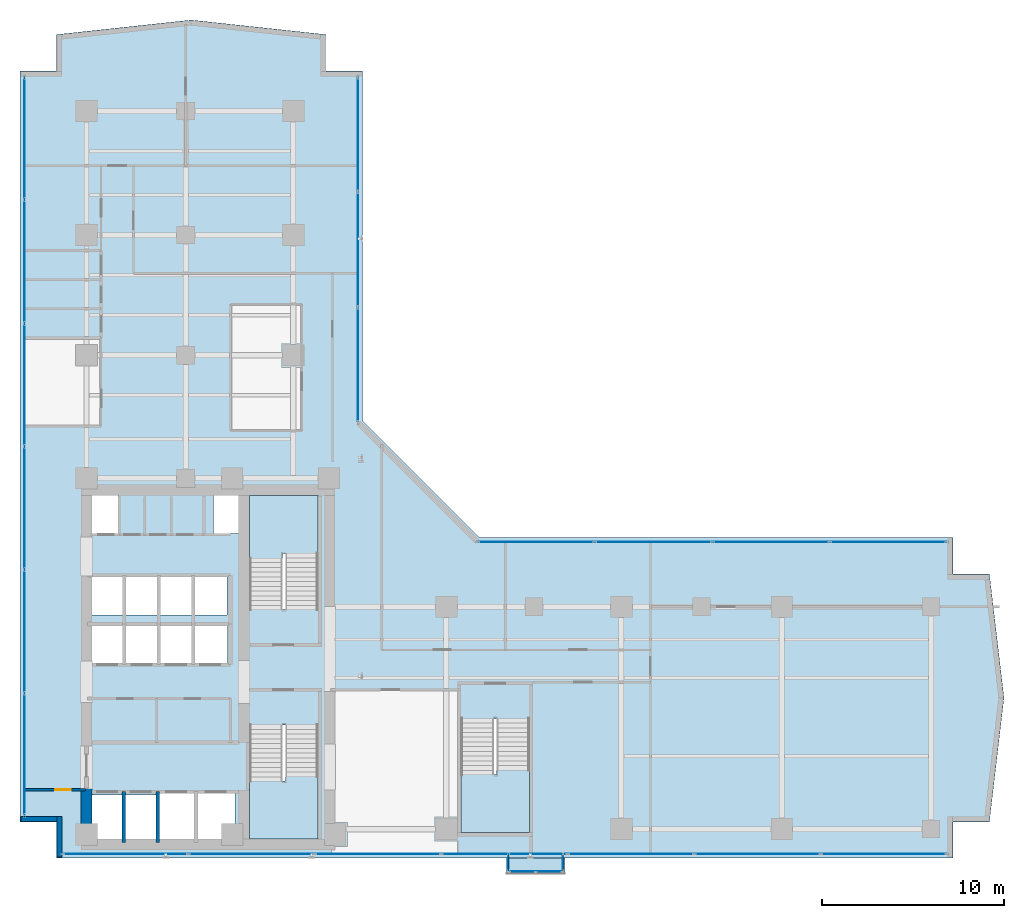
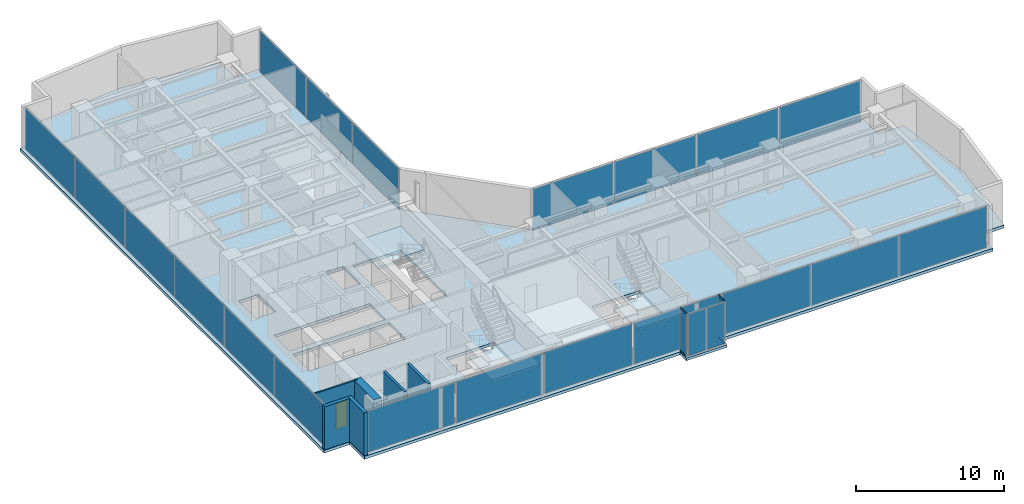
# One storey, part 18 of 24: 24 plates, 6 walls, 5 slabs, 4 members, 1 door, 1 opening, 10 elements without a shape of their own.
"""IFC4 building model written with IfcOpenShell, lengths in metres."""

from ifc_helpers import new_model, si_unit, direction, frame, frame_2d, origin, origin_with_axes, origin_2d, place, context, subcontext, project, spatial, polyline, rectangle, hollow_rectangle, outline, extrude, source, transform, mapped, material, layer, layer_set, material_profile, profile_set, type_object, element, fill, aggregate, save


model = new_model("IFC4")

# Units and contexts
model_context = context("Model", 3, precision=1e-05, world=origin(), true_north=direction((0.0, 1.0)))
body_context = subcontext(model_context, "Body", "Model", "MODEL_VIEW")
ifc_project = project(units=[si_unit("LENGTHUNIT", "METRE"), si_unit("AREAUNIT", "SQUARE_METRE"), si_unit("VOLUMEUNIT", "CUBIC_METRE"), si_unit("PLANEANGLEUNIT", "RADIAN"), si_unit("MASSUNIT", "GRAM", prefix="KILO")], contexts=[model_context])

# Site, building, storey
site_placement = place(None, origin())
site = spatial("IfcSite", under=ifc_project, at=site_placement, CompositionType="ELEMENT")
building_placement = place(site_placement, origin())
building = spatial("IfcBuilding", under=site, at=building_placement, Name="Kolvaren Waterfront Exchange", CompositionType="ELEMENT")
storey_placement = place(building_placement, frame((0.0, 0.0, 172.800048828125)))
storey = spatial("IfcBuildingStorey", under=building, at=storey_placement, Name="L44", CompositionType="ELEMENT", Elevation=172.800048828125)

# Curtain wall, members
ifc_material_1 = material(Name="Anodised bronze aluminium 6063-T6", Category="aluminium")
ifc_layer_1 = layer(ifc_material_1, 0.219970703125, Name="Anodised bronze aluminium 6063-T6")
ifc_layer_set_1 = layer_set([ifc_layer_1], Name="Anodised bronze aluminium 6063-T6")
curtain_wall_type_1 = type_object("IfcCurtainWallType", Name="ARC-CW-SYS3", PredefinedType="USERDEFINED", material=ifc_layer_set_1)
curtain_wall_1_placement = place(storey_placement, origin())
curtain_wall_1 = element("IfcCurtainWall", 1, at=curtain_wall_1_placement, inside=storey, type_object=curtain_wall_type_1, Name="L44 stick curtain wall CW3 (CW-L44-BOX-W)", ObjectType="STICK CURTAIN WALL", PredefinedType="USERDEFINED")
ifc_material_profile = material_profile(ifc_material_1, hollow_rectangle(XDim=0.06494140625, YDim=0.1298828125, WallThickness=0.00390625, at=origin_2d()), Name="ALU-TRN-130x65x4")
ifc_profile_set = profile_set([ifc_material_profile], Name="Anodised bronze aluminium 6063-T6")
member_type = type_object("IfcMemberType", Name="ARC-CWT-130", PredefinedType="USERDEFINED", material=ifc_profile_set)
shared_shape_1 = source(origin_with_axes(), body_context, "Body", "SweptSolid", [
    extrude(hollow_rectangle(XDim=0.06494140625, YDim=0.1298828125, WallThickness=0.00390625, at=origin_2d()), origin(), (0.0, 0.0, 1.0), 0.829833984375),
])
member_1_placement = place(storey_placement, frame((30.610107421875, 3.764892578125, 0.032470703125), z_axis=(0.0, -1.0, 0.0), x_axis=(1.0, 0.0, 0.0)))
member_1 = element("IfcMember", 2, at=member_1_placement, type_object=member_type, Name="CW3 transom 1.1", ObjectType="TRANSOM", PredefinedType="USERDEFINED", context=body_context, shape_type="MappedRepresentation", body=[
    mapped(shared_shape_1, transform((0.0, 0.0, 0.0), x_axis=(1.0, 0.0, 0.0), y_axis=(0.0, 1.0, 0.0), z_axis=(0.0, 0.0, 1.0), scale=1.0)),
])
member_2_placement = place(storey_placement, frame((30.610107421875, 3.764892578125, 3.52734375), z_axis=(0.0, -1.0, 0.0), x_axis=(1.0, 0.0, 0.0)))
member_2 = element("IfcMember", 3, at=member_2_placement, type_object=member_type, Name="CW3 transom 1.2", ObjectType="TRANSOM", PredefinedType="USERDEFINED", context=body_context, shape_type="MappedRepresentation", body=[
    mapped(shared_shape_1, transform((0.0, 0.0, 0.0), x_axis=(1.0, 0.0, 0.0), y_axis=(0.0, 1.0, 0.0), z_axis=(0.0, 0.0, 1.0), scale=1.0)),
])

curtain_wall_2_placement = place(storey_placement, origin())
curtain_wall_2 = element("IfcCurtainWall", 4, at=curtain_wall_2_placement, inside=storey, type_object=curtain_wall_type_1, Name="L44 stick curtain wall CW3 (CW-L44-BOX-E)", ObjectType="STICK CURTAIN WALL", PredefinedType="USERDEFINED")
member_3_placement = place(storey_placement, frame((33.590087890625, 2.93505859375, 0.032470703125), z_axis=(0.0, 1.0, 0.0), x_axis=(-1.0, 0.0, 0.0)))
member_3 = element("IfcMember", 5, at=member_3_placement, type_object=member_type, Name="CW3 transom 1.1", ObjectType="TRANSOM", PredefinedType="USERDEFINED", context=body_context, shape_type="MappedRepresentation", body=[
    mapped(shared_shape_1, transform((0.0, 0.0, 0.0), x_axis=(1.0, 0.0, 0.0), y_axis=(0.0, 1.0, 0.0), z_axis=(0.0, 0.0, 1.0), scale=1.0)),
])
member_4_placement = place(storey_placement, frame((33.590087890625, 2.93505859375, 3.52734375), z_axis=(0.0, 1.0, 0.0), x_axis=(-1.0, 0.0, 0.0)))
member_4 = element("IfcMember", 6, at=member_4_placement, type_object=member_type, Name="CW3 transom 1.2", ObjectType="TRANSOM", PredefinedType="USERDEFINED", context=body_context, shape_type="MappedRepresentation", body=[
    mapped(shared_shape_1, transform((0.0, 0.0, 0.0), x_axis=(1.0, 0.0, 0.0), y_axis=(0.0, 1.0, 0.0), z_axis=(0.0, 0.0, 1.0), scale=1.0)),
])

# Stair, slab
ifc_material_2 = material(Name="Concrete C40/50", Category="concrete")
stair_type = type_object("IfcStairType", Name="ARC-STAIR-3800", PredefinedType="HALF_TURN_STAIR", material=ifc_material_2)
stair_1_placement = place(storey_placement, origin())
stair_1 = element("IfcStair", 7, at=stair_1_placement, inside=storey, type_object=stair_type, Name="L44 Smoke-proof exit stair ST1", PredefinedType="HALF_TURN_STAIR")
ifc_layer_2 = layer(ifc_material_2, 0.199951171875, Name="Concrete C40/50")
ifc_layer_set_2 = layer_set([ifc_layer_2], Name="Concrete C40/50")
slab_type_1 = type_object("IfcSlabType", Name="STR-LANDING-200", PredefinedType="LANDING", material=ifc_layer_set_2)
slab_1_placement = place(storey_placement, frame((0.0, 0.0, 1.77587890625)))
slab_1 = element("IfcSlab", 8, at=slab_1_placement, type_object=slab_type_1, Name="ST1 landing 1", PredefinedType="LANDING", context=body_context, shape_type="SweptSolid", body=[
    extrude(outline(polyline([(16.39990234375, 7.840087890625), (16.39990234375, 4.64990234375), (20.159912109375, 4.64990234375), (20.159912109375, 8.10009765625), (18.360107421875, 8.10009765625), (18.360107421875, 7.840087890625), (16.39990234375, 7.840087890625)])), origin(), (0.0, 0.0, 1.0), 0.199951171875),
])
aggregate(stair_1, [slab_1])

stair_2_placement = place(storey_placement, origin())
stair_2 = element("IfcStair", 9, at=stair_2_placement, inside=storey, type_object=stair_type, Name="L44 Smoke-proof exit stair ST2", PredefinedType="HALF_TURN_STAIR")
slab_2_placement = place(storey_placement, frame((0.0, 0.0, 1.77587890625)))
slab_2 = element("IfcSlab", 10, at=slab_2_placement, type_object=slab_type_1, Name="ST2 landing 1", PredefinedType="LANDING", context=body_context, shape_type="SweptSolid", body=[
    extrude(outline(polyline([(20.159912109375, 20.31005859375), (20.159912109375, 23.5), (16.39990234375, 23.5), (16.39990234375, 20.050048828125), (18.199951171875, 20.050048828125), (18.199951171875, 20.31005859375), (20.159912109375, 20.31005859375)])), origin(), (0.0, 0.0, 1.0), 0.199951171875),
])
aggregate(stair_2, [slab_2])

stair_3_placement = place(storey_placement, origin())
stair_3 = element("IfcStair", 11, at=stair_3_placement, inside=storey, type_object=stair_type, Name="L44 Exit stair ST3", PredefinedType="HALF_TURN_STAIR")
slab_3_placement = place(storey_placement, frame((0.0, 0.0, 1.77587890625)))
slab_3 = element("IfcSlab", 12, at=slab_3_placement, type_object=slab_type_1, Name="ST3 landing 1", PredefinedType="LANDING", context=body_context, shape_type="SweptSolid", body=[
    extrude(outline(polyline([(28.0, 8.18994140625), (28.0, 5.0), (31.760009765625, 5.0), (31.760009765625, 8.449951171875), (29.9599609375, 8.449951171875), (29.9599609375, 8.18994140625), (28.0, 8.18994140625)])), origin(), (0.0, 0.0, 1.0), 0.199951171875),
])
aggregate(stair_3, [slab_3])

# Slabs
ifc_layer_3 = layer(ifc_material_2, 0.239990234375, Name="Concrete C40/50")
ifc_layer_set_3 = layer_set([ifc_layer_3], Name="Concrete C40/50")
slab_type_2 = type_object("IfcSlabType", Name="STR-SLAB-240", PredefinedType="FLOOR", material=ifc_layer_set_3)
slab_4_placement = place(storey_placement, frame((0.0, 0.0, -0.239990234375)))
element("IfcSlab", 13, at=slab_4_placement, inside=storey, type_object=slab_type_2, Name="L44 structural floor slab", PredefinedType="FLOOR", context=body_context, shape_type="SweptSolid", body=[
    extrude(outline(polyline([(5.800048828125, 3.60009765625), (55.0, 3.60009765625), (55.0, 5.60009765625), (57.0, 5.60009765625), (57.800048828125, 12.39990234375), (57.0, 19.199951171875), (55.0, 19.199951171875), (55.0, 21.199951171875), (29.0, 21.199951171875), (22.60009765625, 27.60009765625), (22.60009765625, 46.800048828125), (20.60009765625, 46.800048828125), (20.60009765625, 48.800048828125), (13.199951171875, 49.60009765625), (5.800048828125, 48.800048828125), (5.800048828125, 46.800048828125), (3.800048828125, 46.800048828125), (3.800048828125, 5.60009765625), (5.800048828125, 5.60009765625), (5.800048828125, 3.60009765625)]), holes=[polyline([(11.320068359375, 7.260009765625), (15.610107421875, 7.260009765625), (15.610107421875, 4.5400390625), (7.719970703125, 4.5400390625), (7.719970703125, 7.06005859375), (11.320068359375, 7.06005859375), (11.320068359375, 7.260009765625)]), polyline([(20.159912109375, 10.89990234375), (20.159912109375, 4.64990234375), (16.39990234375, 4.64990234375), (16.39990234375, 10.89990234375), (20.159912109375, 10.89990234375)]), polyline([(31.760009765625, 11.25), (31.760009765625, 5.0), (28.0, 5.0), (28.0, 11.25), (31.760009765625, 11.25)]), polyline([(15.18505859375, 14.239990234375), (7.64501953125, 14.239990234375), (7.64501953125, 16.4599609375), (15.18505859375, 16.4599609375), (15.18505859375, 14.239990234375)]), polyline([(15.159912109375, 16.93994140625), (7.669921875, 16.93994140625), (7.669921875, 19.06005859375), (15.159912109375, 19.06005859375), (15.159912109375, 16.93994140625)]), polyline([(16.39990234375, 23.5), (20.159912109375, 23.5), (20.159912109375, 17.25), (16.39990234375, 17.25), (16.39990234375, 23.5)]), polyline([(7.60009765625, 23.780029296875), (9.179931640625, 23.780029296875), (9.179931640625, 21.419921875), (7.60009765625, 21.419921875), (7.60009765625, 23.780029296875)]), polyline([(15.800048828125, 23.780029296875), (15.800048828125, 21.419921875), (14.419921875, 21.419921875), (14.419921875, 23.780029296875), (15.800048828125, 23.780029296875)])]), origin(), (0.0, 0.0, 1.0), 0.239990234375),
])
ifc_layer_4 = layer(ifc_material_2, 0.219970703125, Name="Concrete C40/50")
ifc_layer_set_4 = layer_set([ifc_layer_4], Name="Concrete C40/50")
slab_type_3 = type_object("IfcSlabType", Name="STR-TERR-220", PredefinedType="FLOOR", material=ifc_layer_set_4)
slab_5_placement = place(storey_placement, frame((0.0, 0.0, -0.219970703125)))
element("IfcSlab", 14, at=slab_5_placement, inside=storey, type_object=slab_type_3, Name="L44 projecting bay-box floor strip", PredefinedType="FLOOR", context=body_context, shape_type="SweptSolid", body=[
    extrude(outline(polyline([(30.5, 2.75), (33.699951171875, 2.75), (33.699951171875, 3.60009765625), (30.5, 3.60009765625), (30.5, 2.75)])), origin(), (0.0, 0.0, 1.0), 0.219970703125),
])

# Plate
ifc_material_3 = material(Name="Bronze tinted bay-box vision glass", Category="aluminium")
ifc_layer_5 = layer(ifc_material_3, 0.02392578125, Name="Bronze tinted bay-box vision glass")
ifc_layer_set_5 = layer_set([ifc_layer_5], Name="Bronze tinted bay-box vision glass")
plate_type_1 = type_object("IfcPlateType", Name="ARC-CWP-24", PredefinedType="CURTAIN_PANEL", material=ifc_layer_set_5)
shared_shape_2 = source(origin_with_axes(), body_context, "Body", "SweptSolid", [
    extrude(rectangle(XDim=0.830078125, YDim=0.02392578125, at=origin_2d()), origin(), (0.0, 0.0, 1.0), 3.429931640625),
])
plate_1_placement = place(storey_placement, frame((30.610107421875, 3.35009765625, 0.06494140625), z_axis=(0.0, 0.0, 1.0), x_axis=(0.0, -1.0, 0.0)))
plate_1 = element("IfcPlate", 15, at=plate_1_placement, type_object=plate_type_1, Name="CW3 panel 1.1", PredefinedType="CURTAIN_PANEL", context=body_context, shape_type="MappedRepresentation", body=[
    mapped(shared_shape_2, transform((0.0, 0.0, 0.0), x_axis=(1.0, 0.0, 0.0), y_axis=(0.0, 1.0, 0.0), z_axis=(0.0, 0.0, 1.0), scale=1.0)),
])

aggregate(curtain_wall_1, [member_1, member_2, plate_1])

plate_2_placement = place(storey_placement, frame((33.590087890625, 3.35009765625, 0.06494140625), z_axis=(0.0, 0.0, 1.0), x_axis=(0.0, 1.0, 0.0)))
plate_2 = element("IfcPlate", 16, at=plate_2_placement, type_object=plate_type_1, Name="CW3 panel 1.1", PredefinedType="CURTAIN_PANEL", context=body_context, shape_type="MappedRepresentation", body=[
    mapped(shared_shape_2, transform((0.0, 0.0, 0.0), x_axis=(1.0, 0.0, 0.0), y_axis=(0.0, 1.0, 0.0), z_axis=(0.0, 0.0, 1.0), scale=1.0)),
])

aggregate(curtain_wall_2, [member_3, member_4, plate_2])

# Curtain wall, plates
curtain_wall_3_placement = place(storey_placement, origin())
curtain_wall_3 = element("IfcCurtainWall", 17, at=curtain_wall_3_placement, inside=storey, type_object=curtain_wall_type_1, Name="L44 stick curtain wall CW3 (CW-L44-BOX)", ObjectType="STICK CURTAIN WALL", PredefinedType="USERDEFINED")
shared_shape_3 = source(origin_with_axes(), body_context, "Body", "SweptSolid", [
    extrude(rectangle(XDim=1.37744140625, YDim=0.02392578125, at=origin_2d()), origin(), (0.0, 0.0, 1.0), 3.429931640625),
])
plate_3_placement = place(storey_placement, frame((31.373779296875, 2.860107421875, 0.06494140625), z_axis=(0.0, 0.0, 1.0), x_axis=(1.0, 0.0, 0.0)))
plate_3 = element("IfcPlate", 18, at=plate_3_placement, type_object=plate_type_1, Name="CW3 panel 1.1", PredefinedType="CURTAIN_PANEL", context=body_context, shape_type="MappedRepresentation", body=[
    mapped(shared_shape_3, transform((0.0, 0.0, 0.0), x_axis=(1.0, 0.0, 0.0), y_axis=(0.0, 1.0, 0.0), z_axis=(0.0, 0.0, 1.0), scale=1.0)),
])
plate_4_placement = place(storey_placement, frame((32.826171875, 2.860107421875, 0.06494140625), z_axis=(0.0, 0.0, 1.0), x_axis=(1.0, 0.0, 0.0)))
plate_4 = element("IfcPlate", 19, at=plate_4_placement, type_object=plate_type_1, Name="CW3 panel 2.1", PredefinedType="CURTAIN_PANEL", context=body_context, shape_type="MappedRepresentation", body=[
    mapped(shared_shape_3, transform((0.0, 0.0, 0.0), x_axis=(1.0, 0.0, 0.0), y_axis=(0.0, 1.0, 0.0), z_axis=(0.0, 0.0, 1.0), scale=1.0)),
])
aggregate(curtain_wall_3, [plate_3, plate_4])

ifc_layer_6 = layer(ifc_material_1, 0.219970703125, Name="Anodised bronze aluminium 6063-T6")
ifc_layer_set_6 = layer_set([ifc_layer_6], Name="Anodised bronze aluminium 6063-T6")
curtain_wall_type_2 = type_object("IfcCurtainWallType", Name="ARC-CW-SYS1", PredefinedType="USERDEFINED", material=ifc_layer_set_6)
curtain_wall_4_placement = place(storey_placement, origin())
curtain_wall_4 = element("IfcCurtainWall", 20, at=curtain_wall_4_placement, inside=storey, type_object=curtain_wall_type_2, Name="L44 stick curtain wall CW1 (CW-L44-S)", ObjectType="STICK CURTAIN WALL", PredefinedType="USERDEFINED")
ifc_material_4 = material(Name="Bronze solar control vision glass", Category="aluminium")
ifc_layer_7 = layer(ifc_material_4, 0.028076171875, Name="Bronze solar control vision glass")
ifc_layer_set_7 = layer_set([ifc_layer_7], Name="Bronze solar control vision glass")
plate_type_2 = type_object("IfcPlateType", Name="ARC-CWP-28", PredefinedType="CURTAIN_PANEL", material=ifc_layer_set_7)
shared_shape_4 = source(origin_with_axes(), body_context, "Body", "SweptSolid", [
    extrude(rectangle(XDim=6.82275390625, YDim=0.028076171875, at=origin_2d()), origin(), (0.0, 0.0, 1.0), 3.409912109375),
])
plate_5_placement = place(storey_placement, frame((9.59130859375, 3.840087890625, 0.0751953125), z_axis=(0.0, 0.0, 1.0), x_axis=(1.0, 0.0, 0.0)))
plate_5 = element("IfcPlate", 21, at=plate_5_placement, type_object=plate_type_2, Name="CW1 panel 1.1", PredefinedType="CURTAIN_PANEL", context=body_context, shape_type="MappedRepresentation", body=[
    mapped(shared_shape_4, transform((0.0, 0.0, 0.0), x_axis=(1.0, 0.0, 0.0), y_axis=(0.0, 1.0, 0.0), z_axis=(0.0, 0.0, 1.0), scale=1.0)),
])
plate_6_placement = place(storey_placement, frame((51.20849609375, 3.840087890625, 0.0751953125), z_axis=(0.0, 0.0, 1.0), x_axis=(1.0, 0.0, 0.0)))
plate_6 = element("IfcPlate", 22, at=plate_6_placement, type_object=plate_type_2, Name="CW1 panel 7.1", PredefinedType="CURTAIN_PANEL", context=body_context, shape_type="MappedRepresentation", body=[
    mapped(shared_shape_4, transform((0.0, 0.0, 0.0), x_axis=(1.0, 0.0, 0.0), y_axis=(0.0, 1.0, 0.0), z_axis=(0.0, 0.0, 1.0), scale=1.0)),
])
shared_shape_5 = source(origin_with_axes(), body_context, "Body", "SweptSolid", [
    extrude(rectangle(XDim=6.86279296875, YDim=0.028076171875, at=origin_2d()), origin(), (0.0, 0.0, 1.0), 3.409912109375),
])
plate_7_placement = place(storey_placement, frame((16.514404296875, 3.840087890625, 0.0751953125), z_axis=(0.0, 0.0, 1.0), x_axis=(1.0, 0.0, 0.0)))
plate_7 = element("IfcPlate", 23, at=plate_7_placement, type_object=plate_type_2, Name="CW1 panel 2.1", PredefinedType="CURTAIN_PANEL", context=body_context, shape_type="MappedRepresentation", body=[
    mapped(shared_shape_5, transform((0.0, 0.0, 0.0), x_axis=(1.0, 0.0, 0.0), y_axis=(0.0, 1.0, 0.0), z_axis=(0.0, 0.0, 1.0), scale=1.0)),
])
plate_8_placement = place(storey_placement, frame((23.45703125, 3.840087890625, 0.0751953125), z_axis=(0.0, 0.0, 1.0), x_axis=(1.0, 0.0, 0.0)))
plate_8 = element("IfcPlate", 24, at=plate_8_placement, type_object=plate_type_2, Name="CW1 panel 3.1", PredefinedType="CURTAIN_PANEL", context=body_context, shape_type="MappedRepresentation", body=[
    mapped(shared_shape_5, transform((0.0, 0.0, 0.0), x_axis=(1.0, 0.0, 0.0), y_axis=(0.0, 1.0, 0.0), z_axis=(0.0, 0.0, 1.0), scale=1.0)),
])
plate_9_placement = place(storey_placement, frame((30.39990234375, 3.840087890625, 0.0751953125), z_axis=(0.0, 0.0, 1.0), x_axis=(1.0, 0.0, 0.0)))
plate_9 = element("IfcPlate", 25, at=plate_9_placement, type_object=plate_type_2, Name="CW1 panel 4.1", PredefinedType="CURTAIN_PANEL", context=body_context, shape_type="MappedRepresentation", body=[
    mapped(shared_shape_5, transform((0.0, 0.0, 0.0), x_axis=(1.0, 0.0, 0.0), y_axis=(0.0, 1.0, 0.0), z_axis=(0.0, 0.0, 1.0), scale=1.0)),
])
plate_10_placement = place(storey_placement, frame((37.3427734375, 3.840087890625, 0.0751953125), z_axis=(0.0, 0.0, 1.0), x_axis=(1.0, 0.0, 0.0)))
plate_10 = element("IfcPlate", 26, at=plate_10_placement, type_object=plate_type_2, Name="CW1 panel 5.1", PredefinedType="CURTAIN_PANEL", context=body_context, shape_type="MappedRepresentation", body=[
    mapped(shared_shape_5, transform((0.0, 0.0, 0.0), x_axis=(1.0, 0.0, 0.0), y_axis=(0.0, 1.0, 0.0), z_axis=(0.0, 0.0, 1.0), scale=1.0)),
])
plate_11_placement = place(storey_placement, frame((44.28564453125, 3.840087890625, 0.0751953125), z_axis=(0.0, 0.0, 1.0), x_axis=(1.0, 0.0, 0.0)))
plate_11 = element("IfcPlate", 27, at=plate_11_placement, type_object=plate_type_2, Name="CW1 panel 6.1", PredefinedType="CURTAIN_PANEL", context=body_context, shape_type="MappedRepresentation", body=[
    mapped(shared_shape_5, transform((0.0, 0.0, 0.0), x_axis=(1.0, 0.0, 0.0), y_axis=(0.0, 1.0, 0.0), z_axis=(0.0, 0.0, 1.0), scale=1.0)),
])
aggregate(curtain_wall_4, [plate_5, plate_7, plate_8, plate_9, plate_10, plate_11, plate_6])

curtain_wall_5_placement = place(storey_placement, origin())
curtain_wall_5 = element("IfcCurtainWall", 28, at=curtain_wall_5_placement, inside=storey, type_object=curtain_wall_type_2, Name="L44 stick curtain wall CW1 (CW-L44-NE)", ObjectType="STICK CURTAIN WALL", PredefinedType="USERDEFINED")
shared_shape_6 = source(origin_with_axes(), body_context, "Body", "SweptSolid", [
    extrude(rectangle(XDim=6.216552734375, YDim=0.028076171875, at=origin_2d()), origin(), (0.0, 0.0, 1.0), 3.409912109375),
])
plate_12_placement = place(storey_placement, frame((22.360107421875, 30.67822265625, 0.0751953125), z_axis=(0.0, 0.0, 1.0), x_axis=(0.0, 1.0, 0.0)))
plate_12 = element("IfcPlate", 29, at=plate_12_placement, type_object=plate_type_2, Name="CW1 panel 1.1", PredefinedType="CURTAIN_PANEL", context=body_context, shape_type="MappedRepresentation", body=[
    mapped(shared_shape_6, transform((0.0, 0.0, 0.0), x_axis=(1.0, 0.0, 0.0), y_axis=(0.0, 1.0, 0.0), z_axis=(0.0, 0.0, 1.0), scale=1.0)),
])
plate_13_placement = place(storey_placement, frame((22.360107421875, 43.311767578125, 0.0751953125), z_axis=(0.0, 0.0, 1.0), x_axis=(0.0, 1.0, 0.0)))
plate_13 = element("IfcPlate", 30, at=plate_13_placement, type_object=plate_type_2, Name="CW1 panel 3.1", PredefinedType="CURTAIN_PANEL", context=body_context, shape_type="MappedRepresentation", body=[
    mapped(shared_shape_6, transform((0.0, 0.0, 0.0), x_axis=(1.0, 0.0, 0.0), y_axis=(0.0, 1.0, 0.0), z_axis=(0.0, 0.0, 1.0), scale=1.0)),
])
shared_shape_7 = source(origin_with_axes(), body_context, "Body", "SweptSolid", [
    extrude(rectangle(XDim=6.256591796875, YDim=0.028076171875, at=origin_2d()), origin(), (0.0, 0.0, 1.0), 3.409912109375),
])
plate_14_placement = place(storey_placement, frame((22.360107421875, 36.9951171875, 0.0751953125), z_axis=(0.0, 0.0, 1.0), x_axis=(0.0, 1.0, 0.0)))
plate_14 = element("IfcPlate", 31, at=plate_14_placement, type_object=plate_type_2, Name="CW1 panel 2.1", PredefinedType="CURTAIN_PANEL", context=body_context, shape_type="MappedRepresentation", body=[
    mapped(shared_shape_7, transform((0.0, 0.0, 0.0), x_axis=(1.0, 0.0, 0.0), y_axis=(0.0, 1.0, 0.0), z_axis=(0.0, 0.0, 1.0), scale=1.0)),
])
aggregate(curtain_wall_5, [plate_12, plate_14, plate_13])

curtain_wall_6_placement = place(storey_placement, origin())
curtain_wall_6 = element("IfcCurtainWall", 32, at=curtain_wall_6_placement, inside=storey, type_object=curtain_wall_type_2, Name="L44 stick curtain wall CW1 (CW-L44-EN)", ObjectType="STICK CURTAIN WALL", PredefinedType="USERDEFINED")
shared_shape_8 = source(origin_with_axes(), body_context, "Body", "SweptSolid", [
    extrude(rectangle(XDim=6.33251953125, YDim=0.028076171875, at=origin_2d()), origin(), (0.0, 0.0, 1.0), 3.409912109375),
])
plate_15_placement = place(storey_placement, frame((32.13623046875, 20.9599609375, 0.0751953125), z_axis=(0.0, 0.0, 1.0), x_axis=(1.0, 0.0, 0.0)))
plate_15 = element("IfcPlate", 33, at=plate_15_placement, type_object=plate_type_2, Name="CW1 panel 1.1", PredefinedType="CURTAIN_PANEL", context=body_context, shape_type="MappedRepresentation", body=[
    mapped(shared_shape_8, transform((0.0, 0.0, 0.0), x_axis=(1.0, 0.0, 0.0), y_axis=(0.0, 1.0, 0.0), z_axis=(0.0, 0.0, 1.0), scale=1.0)),
])
plate_16_placement = place(storey_placement, frame((51.453857421875, 20.9599609375, 0.0751953125), z_axis=(0.0, 0.0, 1.0), x_axis=(1.0, 0.0, 0.0)))
plate_16 = element("IfcPlate", 34, at=plate_16_placement, type_object=plate_type_2, Name="CW1 panel 4.1", PredefinedType="CURTAIN_PANEL", context=body_context, shape_type="MappedRepresentation", body=[
    mapped(shared_shape_8, transform((0.0, 0.0, 0.0), x_axis=(1.0, 0.0, 0.0), y_axis=(0.0, 1.0, 0.0), z_axis=(0.0, 0.0, 1.0), scale=1.0)),
])
shared_shape_9 = source(origin_with_axes(), body_context, "Body", "SweptSolid", [
    extrude(rectangle(XDim=6.37255859375, YDim=0.028076171875, at=origin_2d()), origin(), (0.0, 0.0, 1.0), 3.409912109375),
])
plate_17_placement = place(storey_placement, frame((38.56884765625, 20.9599609375, 0.0751953125), z_axis=(0.0, 0.0, 1.0), x_axis=(1.0, 0.0, 0.0)))
plate_17 = element("IfcPlate", 35, at=plate_17_placement, type_object=plate_type_2, Name="CW1 panel 2.1", PredefinedType="CURTAIN_PANEL", context=body_context, shape_type="MappedRepresentation", body=[
    mapped(shared_shape_9, transform((0.0, 0.0, 0.0), x_axis=(1.0, 0.0, 0.0), y_axis=(0.0, 1.0, 0.0), z_axis=(0.0, 0.0, 1.0), scale=1.0)),
])
plate_18_placement = place(storey_placement, frame((45.021240234375, 20.9599609375, 0.0751953125), z_axis=(0.0, 0.0, 1.0), x_axis=(1.0, 0.0, 0.0)))
plate_18 = element("IfcPlate", 36, at=plate_18_placement, type_object=plate_type_2, Name="CW1 panel 3.1", PredefinedType="CURTAIN_PANEL", context=body_context, shape_type="MappedRepresentation", body=[
    mapped(shared_shape_9, transform((0.0, 0.0, 0.0), x_axis=(1.0, 0.0, 0.0), y_axis=(0.0, 1.0, 0.0), z_axis=(0.0, 0.0, 1.0), scale=1.0)),
])
aggregate(curtain_wall_6, [plate_15, plate_17, plate_18, plate_16])

ifc_material_5 = material(Name="Anodised aluminium 6063-T6", Category="aluminium")
ifc_layer_8 = layer(ifc_material_5, 0.219970703125, Name="Anodised aluminium 6063-T6")
ifc_layer_set_8 = layer_set([ifc_layer_8], Name="Anodised aluminium 6063-T6")
curtain_wall_type_3 = type_object("IfcCurtainWallType", Name="ARC-CW-SYS2", PredefinedType="USERDEFINED", material=ifc_layer_set_8)
curtain_wall_7_placement = place(storey_placement, origin())
curtain_wall_7 = element("IfcCurtainWall", 37, at=curtain_wall_7_placement, inside=storey, type_object=curtain_wall_type_3, Name="L44 stick curtain wall CW2 (CW-L44-W)", ObjectType="STICK CURTAIN WALL", PredefinedType="USERDEFINED")
ifc_material_6 = material(Name="Acoustic laminated vision glass", Category="glass")
ifc_layer_9 = layer(ifc_material_6, 0.031982421875, Name="Acoustic laminated vision glass")
ifc_layer_set_9 = layer_set([ifc_layer_9], Name="Acoustic laminated vision glass")
plate_type_3 = type_object("IfcPlateType", Name="ARC-CWP-32", PredefinedType="CURTAIN_PANEL", material=ifc_layer_set_9)
shared_shape_10 = source(origin_with_axes(), body_context, "Body", "SweptSolid", [
    extrude(rectangle(XDim=6.646728515625, YDim=0.031982421875, at=origin_2d()), origin(), (0.0, 0.0, 1.0), 3.409912109375),
])
plate_19_placement = place(storey_placement, frame((4.0400390625, 9.30322265625, 0.0751953125), z_axis=(0.0, 0.0, 1.0), x_axis=(0.0, 1.0, 0.0)))
plate_19 = element("IfcPlate", 38, at=plate_19_placement, type_object=plate_type_3, Name="CW2 panel 1.1", PredefinedType="CURTAIN_PANEL", context=body_context, shape_type="MappedRepresentation", body=[
    mapped(shared_shape_10, transform((0.0, 0.0, 0.0), x_axis=(1.0, 0.0, 0.0), y_axis=(0.0, 1.0, 0.0), z_axis=(0.0, 0.0, 1.0), scale=1.0)),
])
plate_20_placement = place(storey_placement, frame((4.0400390625, 43.0966796875, 0.0751953125), z_axis=(0.0, 0.0, 1.0), x_axis=(0.0, 1.0, 0.0)))
plate_20 = element("IfcPlate", 39, at=plate_20_placement, type_object=plate_type_3, Name="CW2 panel 6.1", PredefinedType="CURTAIN_PANEL", context=body_context, shape_type="MappedRepresentation", body=[
    mapped(shared_shape_10, transform((0.0, 0.0, 0.0), x_axis=(1.0, 0.0, 0.0), y_axis=(0.0, 1.0, 0.0), z_axis=(0.0, 0.0, 1.0), scale=1.0)),
])
shared_shape_11 = source(origin_with_axes(), body_context, "Body", "SweptSolid", [
    extrude(rectangle(XDim=6.686767578125, YDim=0.031982421875, at=origin_2d()), origin(), (0.0, 0.0, 1.0), 3.409912109375),
])
plate_21_placement = place(storey_placement, frame((4.0400390625, 16.050048828125, 0.0751953125), z_axis=(0.0, 0.0, 1.0), x_axis=(0.0, 1.0, 0.0)))
plate_21 = element("IfcPlate", 40, at=plate_21_placement, type_object=plate_type_3, Name="CW2 panel 2.1", PredefinedType="CURTAIN_PANEL", context=body_context, shape_type="MappedRepresentation", body=[
    mapped(shared_shape_11, transform((0.0, 0.0, 0.0), x_axis=(1.0, 0.0, 0.0), y_axis=(0.0, 1.0, 0.0), z_axis=(0.0, 0.0, 1.0), scale=1.0)),
])
plate_22_placement = place(storey_placement, frame((4.0400390625, 22.816650390625, 0.0751953125), z_axis=(0.0, 0.0, 1.0), x_axis=(0.0, 1.0, 0.0)))
plate_22 = element("IfcPlate", 41, at=plate_22_placement, type_object=plate_type_3, Name="CW2 panel 3.1", PredefinedType="CURTAIN_PANEL", context=body_context, shape_type="MappedRepresentation", body=[
    mapped(shared_shape_11, transform((0.0, 0.0, 0.0), x_axis=(1.0, 0.0, 0.0), y_axis=(0.0, 1.0, 0.0), z_axis=(0.0, 0.0, 1.0), scale=1.0)),
])
plate_23_placement = place(storey_placement, frame((4.0400390625, 29.583251953125, 0.0751953125), z_axis=(0.0, 0.0, 1.0), x_axis=(0.0, 1.0, 0.0)))
plate_23 = element("IfcPlate", 42, at=plate_23_placement, type_object=plate_type_3, Name="CW2 panel 4.1", PredefinedType="CURTAIN_PANEL", context=body_context, shape_type="MappedRepresentation", body=[
    mapped(shared_shape_11, transform((0.0, 0.0, 0.0), x_axis=(1.0, 0.0, 0.0), y_axis=(0.0, 1.0, 0.0), z_axis=(0.0, 0.0, 1.0), scale=1.0)),
])
plate_24_placement = place(storey_placement, frame((4.0400390625, 36.35009765625, 0.0751953125), z_axis=(0.0, 0.0, 1.0), x_axis=(0.0, 1.0, 0.0)))
plate_24 = element("IfcPlate", 43, at=plate_24_placement, type_object=plate_type_3, Name="CW2 panel 5.1", PredefinedType="CURTAIN_PANEL", context=body_context, shape_type="MappedRepresentation", body=[
    mapped(shared_shape_11, transform((0.0, 0.0, 0.0), x_axis=(1.0, 0.0, 0.0), y_axis=(0.0, 1.0, 0.0), z_axis=(0.0, 0.0, 1.0), scale=1.0)),
])
aggregate(curtain_wall_7, [plate_19, plate_21, plate_22, plate_23, plate_24, plate_20])

# Walls
ifc_material_7 = material(Name="Precast concrete C40/50", Category="concrete")
ifc_layer_10 = layer(ifc_material_7, 0.280029296875, Name="Precast concrete C40/50")
ifc_layer_set_10 = layer_set([ifc_layer_10], Name="Precast concrete C40/50")
wall_type_1 = type_object("IfcWallType", Name="ARC-EXT-TERR-280", PredefinedType="SOLIDWALL", material=ifc_layer_set_10)
wall_1_placement = place(storey_placement, frame((5.9599609375, 3.659912109375, 0.0), z_axis=(0.0, 0.0, 1.0), x_axis=(0.0, 1.0, 0.0)))
element("IfcWall", 44, at=wall_1_placement, inside=storey, type_object=wall_type_1, Name="L44 notched corner spandrel pier SW-A", PredefinedType="SOLIDWALL", context=body_context, shape_type="SweptSolid", body=[
    extrude(rectangle(XDim=2.239990234375, YDim=0.280029296875, at=frame_2d((1.1201171875, 0.0))), origin(), (0.0, 0.0, 1.0), 3.56005859375),
])
wall_2_placement = place(storey_placement, frame((3.860107421875, 5.760009765625, 0.0), z_axis=(0.0, 0.0, 1.0), x_axis=(1.0, 0.0, 0.0)))
element("IfcWall", 45, at=wall_2_placement, inside=storey, type_object=wall_type_1, Name="L44 notched corner spandrel pier SW-B", PredefinedType="SOLIDWALL", context=body_context, shape_type="SweptSolid", body=[
    extrude(rectangle(XDim=1.9599609375, YDim=0.280029296875, at=frame_2d((0.97998046875, 0.0))), origin(), (0.0, 0.0, 1.0), 3.56005859375),
])

# Wall, opening, door
ifc_material_8 = material(Name="Acoustic gypsum steel stud", Category="steel")
ifc_layer_11 = layer(ifc_material_8, 0.125, Name="Acoustic gypsum steel stud")
ifc_layer_set_11 = layer_set([ifc_layer_11], Name="Acoustic gypsum steel stud")
wall_type_2 = type_object("IfcWallType", Name="ARC-PART-125", PredefinedType="PARTITIONING", material=ifc_layer_set_11)
wall_3_placement = place(storey_placement, frame((4.0400390625, 7.35009765625, 0.0), z_axis=(0.0, 0.0, 1.0), x_axis=(1.0, 0.0, 0.0)))
wall_3 = element("IfcWall", 46, at=wall_3_placement, inside=storey, type_object=wall_type_2, Name="L44 interior wall PW-L44-SWC-N", PredefinedType="PARTITIONING", context=body_context, shape_type="SweptSolid", body=[
    extrude(rectangle(XDim=3.35986328125, YDim=0.125, at=frame_2d((1.679931640625, 0.0))), origin(), (0.0, 0.0, 1.0), 3.56005859375),
])
opening_placement = place(wall_3_placement, frame((1.686767578125, 0.0, 0.0)))
opening = element("IfcOpeningElement", 47, at=opening_placement, cuts=wall_3, Name="Opening D01", PredefinedType="OPENING", context=body_context, shape_type="SweptSolid", body=[
    extrude(rectangle(XDim=0.85009765625, YDim=2.14990234375, at=frame_2d((0.425048828125, 1.074951171875))), frame((0.0, 0.072509765625, 0.0), z_axis=(0.0, -1.0, 0.0), x_axis=(1.0, 0.0, 0.0)), (0.0, 0.0, 1.0), 0.14501953125),
])
ifc_material_9 = material(Name="Oak veneer timber leaf", Category="wood")
door_type = type_object("IfcDoorType", Name="ARC-DR-900", OperationType="NOTDEFINED", PredefinedType="DOOR", material=ifc_material_9)
door_placement = place(opening_placement, origin())
door = element("IfcDoor", 48, at=door_placement, inside=storey, type_object=door_type, Name="L44 door DR-L44-SWC-D (D01)", OperationType="SINGLE_SWING_RIGHT", OverallHeight=2.14990234375, OverallWidth=0.85009765625, PredefinedType="DOOR", context=body_context, shape_type="SweptSolid", body=[
    extrude(rectangle(XDim=0.85009765625, YDim=2.14990234375, at=frame_2d((0.425048828125, 1.074951171875))), frame((0.0, 0.02490234375, 0.0), z_axis=(0.0, -1.0, 0.0), x_axis=(1.0, 0.0, 0.0)), (0.0, 0.0, 1.0), 0.050048828125),
])
fill(opening, door)

# Walls
ifc_layer_12 = layer(ifc_material_2, 0.199951171875, Name="Concrete C40/50")
ifc_layer_set_12 = layer_set([ifc_layer_12], Name="Concrete C40/50")
wall_type_3 = type_object("IfcWallType", Name="ARC-SHAFT-200", PredefinedType="PARTITIONING", material=ifc_layer_set_12)
for number, where, z_axis, x_axis, name in (
    (49, (9.5, 4.449951171875, 0.0), (0.0, 0.0, 1.0), (0.0, 1.0, 0.0), "L44 interior wall PW-L44-SH1-DIV-95"),
    (50, (11.360107421875, 4.449951171875, 0.0), (0.0, 0.0, 1.0), (0.0, 1.0, 0.0), "L44 interior wall PW-L44-SH1-DIV-113"),
):
    element("IfcWall", number, at=place(storey_placement, frame(where, z_axis=z_axis, x_axis=x_axis)), inside=storey, type_object=wall_type_3, Name=name, PredefinedType="PARTITIONING", context=body_context, shape_type="SweptSolid", body=[
        extrude(rectangle(XDim=2.800048828125, YDim=0.199951171875, at=frame_2d((1.39990234375, 0.0))), origin(), (0.0, 0.0, 1.0), 3.56005859375),
    ])
ifc_material_10 = material(Name="Concrete C60/75", Category="concrete")
ifc_layer_13 = layer(ifc_material_10, 0.60009765625, Name="Concrete C60/75")
ifc_layer_set_13 = layer_set([ifc_layer_13], Name="Concrete C60/75")
wall_type_4 = type_object("IfcWallType", Name="STR-CWALL-600", PredefinedType="SHEAR", material=ifc_layer_set_13)
wall_4_placement = place(storey_placement, frame((7.449951171875, 4.64990234375, 0.0), z_axis=(0.0, 0.0, 1.0), x_axis=(0.0, 1.0, 0.0)))
element("IfcWall", 51, at=wall_4_placement, inside=storey, type_object=wall_type_4, Name="L44 rear-core shear wall W1", PredefinedType="SHEAR", context=body_context, shape_type="SweptSolid", body=[
    extrude(rectangle(XDim=2.800048828125, YDim=0.60009765625, at=frame_2d((1.39990234375, 0.0))), origin(), (0.0, 0.0, 1.0), 3.56005859375),
])

save(model, "model.ifc")
